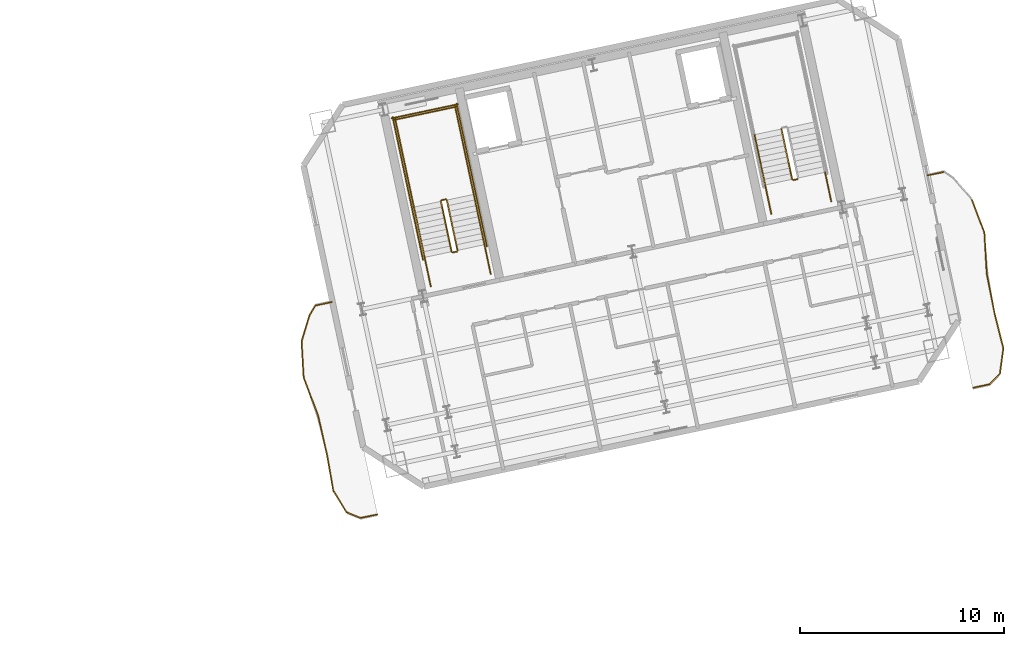
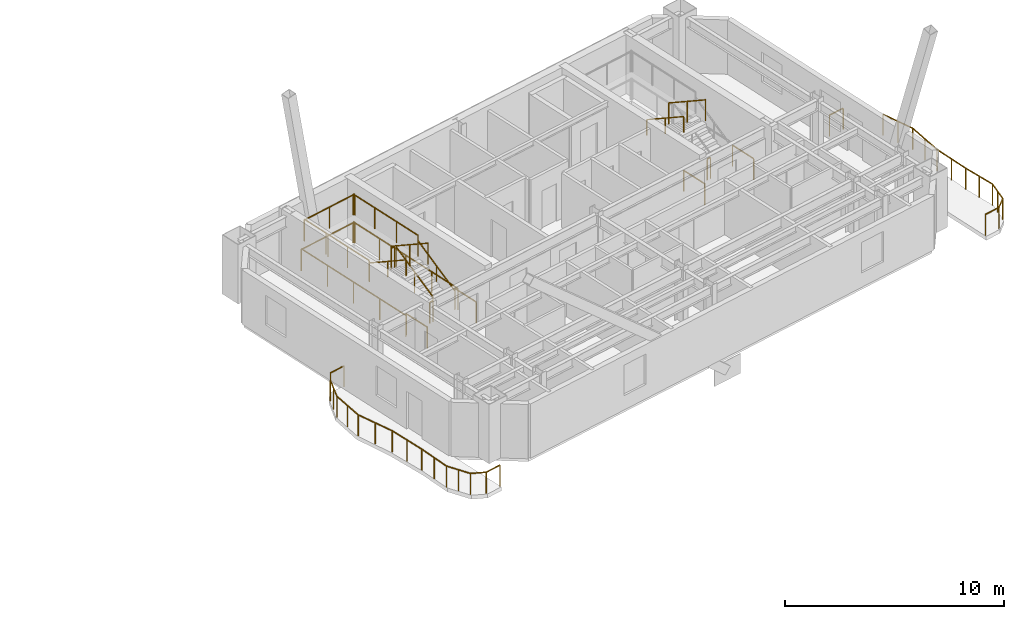
# One storey, part 13 of 14: 37 railings.
"""IFC4 building model written with IfcOpenShell, lengths in metres."""

from ifc_helpers import new_model, si_unit, direction, frame, origin, origin_2d, place, context, subcontext, project, spatial, rectangle, extrude, material, type_object, element, save


model = new_model("IFC4")

# Units and contexts
model_context = context("Model", 3, precision=1e-05, world=origin(), true_north=direction((0.0, 1.0)))
body_context = subcontext(model_context, "Body", "Model", "MODEL_VIEW")
ifc_project = project(units=[si_unit("LENGTHUNIT", "METRE"), si_unit("AREAUNIT", "SQUARE_METRE"), si_unit("VOLUMEUNIT", "CUBIC_METRE"), si_unit("PLANEANGLEUNIT", "RADIAN"), si_unit("MASSUNIT", "GRAM", prefix="KILO")], contexts=[model_context])

# Site, building, storey
site_placement = place(None, origin())
site = spatial("IfcSite", under=ifc_project, at=site_placement, CompositionType="ELEMENT")
building_placement = place(site_placement, origin())
building = spatial("IfcBuilding", under=site, at=building_placement, Name="Haevon Station Towers", CompositionType="ELEMENT")
storey_placement = place(building_placement, frame((0.0, 0.0, 208.800048828125)))
storey = spatial("IfcBuildingStorey", under=building, at=storey_placement, Name="L57", CompositionType="ELEMENT", Elevation=208.800048828125)

# Railings
ifc_material = material(Name="Steel S355", Category="steel")
railing_type_1 = type_object("IfcRailingType", Name="GRD-EXT1200", PredefinedType="GUARDRAIL", material=ifc_material)
railing_1_placement = place(storey_placement, frame((94.288818359375, 37.16552734375, 0.0)))
element("IfcRailing", 1, at=railing_1_placement, inside=storey, type_object=railing_type_1, Name="L57 Perimeter Guardrail 1", PredefinedType="GUARDRAIL", context=body_context, shape_type="SweptSolid", body=[
    extrude(rectangle(XDim=0.048095703125, YDim=0.048095703125, at=origin_2d()), frame((0.0, 0.0, 1.17578125), z_axis=(-0.977678572445, -0.210106185017, 0.0), x_axis=(0.210106185017, -0.977678572445, 0.0)), (0.0, 0.0, 1.0), 0.837890625),
    extrude(rectangle(XDim=0.0419921875, YDim=0.0419921875, at=origin_2d()), origin(), (0.0, 0.0, 1.0), 1.15185546875),
    extrude(rectangle(XDim=0.0419921875, YDim=0.0419921875, at=origin_2d()), frame((-0.819091796875, -0.176025390625, 0.0)), (0.0, 0.0, 1.0), 1.15185546875),
])
railing_2_placement = place(storey_placement, frame((93.4697265625, 36.989501953125, 0.0)))
element("IfcRailing", 2, at=railing_2_placement, inside=storey, type_object=railing_type_1, Name="L57 Perimeter Guardrail 2", PredefinedType="GUARDRAIL", context=body_context, shape_type="SweptSolid", body=[
    extrude(rectangle(XDim=0.048095703125, YDim=0.048095703125, at=origin_2d()), frame((0.0, 0.0, 1.17578125), z_axis=(-0.508242948438, -0.861213739651, 0.0), x_axis=(0.861213739651, -0.508242948438, 0.0)), (0.0, 0.0, 1.0), 0.55810546875),
    extrude(rectangle(XDim=0.0419921875, YDim=0.0419921875, at=origin_2d()), origin(), (0.0, 0.0, 1.0), 1.15185546875),
    extrude(rectangle(XDim=0.0419921875, YDim=0.0419921875, at=origin_2d()), frame((-0.28369140625, -0.480712890625, 0.0)), (0.0, 0.0, 1.0), 1.15185546875),
])
railing_3_placement = place(storey_placement, frame((93.18603515625, 36.5087890625, 0.0)))
element("IfcRailing", 3, at=railing_3_placement, inside=storey, type_object=railing_type_1, Name="L57 Perimeter Guardrail 3", PredefinedType="GUARDRAIL", context=body_context, shape_type="SweptSolid", body=[
    extrude(rectangle(XDim=0.048095703125, YDim=0.048095703125, at=origin_2d()), frame((0.0, 0.0, 1.17578125), z_axis=(-0.290732568505, -0.956804354929, 0.0), x_axis=(0.956804354929, -0.290732568505, 0.0)), (0.0, 0.0, 1.0), 1.3359375),
    extrude(rectangle(XDim=0.0419921875, YDim=0.0419921875, at=origin_2d()), origin(), (0.0, 0.0, 1.0), 1.15185546875),
    extrude(rectangle(XDim=0.0419921875, YDim=0.0419921875, at=origin_2d()), frame((-0.1943359375, -0.63916015625, 0.0)), (0.0, 0.0, 1.0), 1.15185546875),
    extrude(rectangle(XDim=0.0419921875, YDim=0.0419921875, at=origin_2d()), frame((-0.388427734375, -1.2783203125, 0.0)), (0.0, 0.0, 1.0), 1.15185546875),
])
railing_4_placement = place(storey_placement, frame((92.797607421875, 35.23046875, 0.0)))
element("IfcRailing", 4, at=railing_4_placement, inside=storey, type_object=railing_type_1, Name="L57 Perimeter Guardrail 4", PredefinedType="GUARDRAIL", context=body_context, shape_type="SweptSolid", body=[
    extrude(rectangle(XDim=0.048095703125, YDim=0.048095703125, at=origin_2d()), frame((0.0, 0.0, 1.17578125), z_axis=(0.057482650003, -0.998346505452, 0.0), x_axis=(0.998346505452, 0.057482650003, 0.0)), (0.0, 0.0, 1.0), 1.766845703125),
    extrude(rectangle(XDim=0.0419921875, YDim=0.0419921875, at=origin_2d()), origin(), (0.0, 0.0, 1.0), 1.15185546875),
    extrude(rectangle(XDim=0.0419921875, YDim=0.0419921875, at=origin_2d()), frame((0.05078125, -0.8818359375, 0.0)), (0.0, 0.0, 1.0), 1.15185546875),
    extrude(rectangle(XDim=0.0419921875, YDim=0.0419921875, at=origin_2d()), frame((0.1015625, -1.763916015625, 0.0)), (0.0, 0.0, 1.0), 1.15185546875),
])
railing_5_placement = place(storey_placement, frame((92.899169921875, 33.466552734375, 0.0)))
element("IfcRailing", 5, at=railing_5_placement, inside=storey, type_object=railing_type_1, Name="L57 Perimeter Guardrail 5", PredefinedType="GUARDRAIL", context=body_context, shape_type="SweptSolid", body=[
    extrude(rectangle(XDim=0.048095703125, YDim=0.048095703125, at=origin_2d()), frame((0.0, 0.0, 1.17578125), z_axis=(0.354146846432, -0.935189826272, 0.0), x_axis=(0.935189826272, 0.354146846432, 0.0)), (0.0, 0.0, 1.0), 2.016357421875),
    extrude(rectangle(XDim=0.0419921875, YDim=0.0419921875, at=origin_2d()), origin(), (0.0, 0.0, 1.0), 1.15185546875),
    extrude(rectangle(XDim=0.0419921875, YDim=0.0419921875, at=origin_2d()), frame((0.35693359375, -0.94287109375, 0.0)), (0.0, 0.0, 1.0), 1.15185546875),
    extrude(rectangle(XDim=0.0419921875, YDim=0.0419921875, at=origin_2d()), frame((0.714111328125, -1.8857421875, 0.0)), (0.0, 0.0, 1.0), 1.15185546875),
])
railing_6_placement = place(storey_placement, frame((93.61328125, 31.580810546875, 0.0)))
element("IfcRailing", 6, at=railing_6_placement, inside=storey, type_object=railing_type_1, Name="L57 Perimeter Guardrail 6", PredefinedType="GUARDRAIL", context=body_context, shape_type="SweptSolid", body=[
    extrude(rectangle(XDim=0.048095703125, YDim=0.048095703125, at=origin_2d()), frame((0.0, 0.0, 1.17578125), z_axis=(0.220411539334, -0.975406968054, 0.0), x_axis=(0.975406968054, 0.220411539334, 0.0)), (0.0, 0.0, 1.0), 1.9892578125),
    extrude(rectangle(XDim=0.0419921875, YDim=0.0419921875, at=origin_2d()), origin(), (0.0, 0.0, 1.0), 1.15185546875),
    extrude(rectangle(XDim=0.0419921875, YDim=0.0419921875, at=origin_2d()), frame((0.21923828125, -0.97021484375, 0.0)), (0.0, 0.0, 1.0), 1.15185546875),
    extrude(rectangle(XDim=0.0419921875, YDim=0.0419921875, at=origin_2d()), frame((0.4384765625, -1.9404296875, 0.0)), (0.0, 0.0, 1.0), 1.15185546875),
])
railing_7_placement = place(storey_placement, frame((94.0517578125, 29.640380859375, 0.0)))
element("IfcRailing", 7, at=railing_7_placement, inside=storey, type_object=railing_type_1, Name="L57 Perimeter Guardrail 7", PredefinedType="GUARDRAIL", context=body_context, shape_type="SweptSolid", body=[
    extrude(rectangle(XDim=0.048095703125, YDim=0.048095703125, at=origin_2d()), frame((0.0, 0.0, 1.17578125), z_axis=(0.171741201194, -0.98514210133, 0.0), x_axis=(0.98514210133, 0.171741201194, 0.0)), (0.0, 0.0, 1.0), 1.75146484375),
    extrude(rectangle(XDim=0.0419921875, YDim=0.0419921875, at=origin_2d()), origin(), (0.0, 0.0, 1.0), 1.15185546875),
    extrude(rectangle(XDim=0.0419921875, YDim=0.0419921875, at=origin_2d()), frame((0.150390625, -0.86279296875, 0.0)), (0.0, 0.0, 1.0), 1.15185546875),
    extrude(rectangle(XDim=0.0419921875, YDim=0.0419921875, at=origin_2d()), frame((0.30078125, -1.725341796875, 0.0)), (0.0, 0.0, 1.0), 1.15185546875),
])
railing_8_placement = place(storey_placement, frame((94.3525390625, 27.9150390625, 0.0)))
element("IfcRailing", 8, at=railing_8_placement, inside=storey, type_object=railing_type_1, Name="L57 Perimeter Guardrail 8", PredefinedType="GUARDRAIL", context=body_context, shape_type="SweptSolid", body=[
    extrude(rectangle(XDim=0.048095703125, YDim=0.048095703125, at=origin_2d()), frame((0.0, 0.0, 1.17578125), z_axis=(0.525664401049, -0.850692034446, 0.0), x_axis=(0.850692034446, 0.525664401049, 0.0)), (0.0, 0.0, 1.0), 1.242431640625),
    extrude(rectangle(XDim=0.0419921875, YDim=0.0419921875, at=origin_2d()), origin(), (0.0, 0.0, 1.0), 1.15185546875),
    extrude(rectangle(XDim=0.0419921875, YDim=0.0419921875, at=origin_2d()), frame((0.32666015625, -0.5283203125, 0.0)), (0.0, 0.0, 1.0), 1.15185546875),
    extrude(rectangle(XDim=0.0419921875, YDim=0.0419921875, at=origin_2d()), frame((0.653076171875, -1.056884765625, 0.0)), (0.0, 0.0, 1.0), 1.15185546875),
])
railing_9_placement = place(storey_placement, frame((95.005615234375, 26.858154296875, 0.0)))
element("IfcRailing", 9, at=railing_9_placement, inside=storey, type_object=railing_type_1, Name="L57 Perimeter Guardrail 9", PredefinedType="GUARDRAIL", context=body_context, shape_type="SweptSolid", body=[
    extrude(rectangle(XDim=0.048095703125, YDim=0.048095703125, at=origin_2d()), frame((0.0, 0.0, 1.17578125), z_axis=(0.925568245089, -0.378580802053, 0.0), x_axis=(0.378580802053, 0.925568245089, 0.0)), (0.0, 0.0, 1.0), 0.730712890625),
    extrude(rectangle(XDim=0.0419921875, YDim=0.0419921875, at=origin_2d()), origin(), (0.0, 0.0, 1.0), 1.15185546875),
    extrude(rectangle(XDim=0.0419921875, YDim=0.0419921875, at=origin_2d()), frame((0.67626953125, -0.276611328125, 0.0)), (0.0, 0.0, 1.0), 1.15185546875),
])
railing_10_placement = place(storey_placement, frame((95.681884765625, 26.58154296875, 0.0)))
element("IfcRailing", 10, at=railing_10_placement, inside=storey, type_object=railing_type_1, Name="L57 Perimeter Guardrail 10", PredefinedType="GUARDRAIL", context=body_context, shape_type="SweptSolid", body=[
    extrude(rectangle(XDim=0.048095703125, YDim=0.048095703125, at=origin_2d()), frame((0.0, 0.0, 1.17578125), z_axis=(0.978617737227, 0.20568744343, 0.0), x_axis=(-0.20568744343, 0.978617737227, 0.0)), (0.0, 0.0, 1.0), 0.837890625),
    extrude(rectangle(XDim=0.0419921875, YDim=0.0419921875, at=origin_2d()), origin(), (0.0, 0.0, 1.0), 1.15185546875),
    extrude(rectangle(XDim=0.0419921875, YDim=0.0419921875, at=origin_2d()), frame((0.820068359375, 0.17236328125, 0.0)), (0.0, 0.0, 1.0), 1.15185546875),
])
railing_11_placement = place(storey_placement, frame((125.69677734375, 32.959228515625, 0.0)))
element("IfcRailing", 11, at=railing_11_placement, inside=storey, type_object=railing_type_1, Name="L57 Perimeter Guardrail 1", PredefinedType="GUARDRAIL", context=body_context, shape_type="SweptSolid", body=[
    extrude(rectangle(XDim=0.048095703125, YDim=0.048095703125, at=origin_2d()), frame((0.0, 0.0, 1.17578125), z_axis=(0.97761867619, 0.210384704682, 0.0), x_axis=(-0.210384704682, 0.97761867619, 0.0)), (0.0, 0.0, 1.0), 0.837890625),
    extrude(rectangle(XDim=0.0419921875, YDim=0.0419921875, at=origin_2d()), origin(), (0.0, 0.0, 1.0), 1.15185546875),
    extrude(rectangle(XDim=0.0419921875, YDim=0.0419921875, at=origin_2d()), frame((0.819091796875, 0.17626953125, 0.0)), (0.0, 0.0, 1.0), 1.15185546875),
])
railing_12_placement = place(storey_placement, frame((126.515869140625, 33.135498046875, 0.0)))
element("IfcRailing", 12, at=railing_12_placement, inside=storey, type_object=railing_type_1, Name="L57 Perimeter Guardrail 2", PredefinedType="GUARDRAIL", context=body_context, shape_type="SweptSolid", body=[
    extrude(rectangle(XDim=0.048095703125, YDim=0.048095703125, at=origin_2d()), frame((0.0, 0.0, 1.17578125), z_axis=(0.691571499126, 0.722308010198, 0.0), x_axis=(-0.722308010198, 0.691571499126, 0.0)), (0.0, 0.0, 1.0), 0.730712890625),
    extrude(rectangle(XDim=0.0419921875, YDim=0.0419921875, at=origin_2d()), origin(), (0.0, 0.0, 1.0), 1.15185546875),
    extrude(rectangle(XDim=0.0419921875, YDim=0.0419921875, at=origin_2d()), frame((0.50537109375, 0.52783203125, 0.0)), (0.0, 0.0, 1.0), 1.15185546875),
])
railing_13_placement = place(storey_placement, frame((127.021240234375, 33.663330078125, 0.0)))
element("IfcRailing", 13, at=railing_13_placement, inside=storey, type_object=railing_type_1, Name="L57 Perimeter Guardrail 3", PredefinedType="GUARDRAIL", context=body_context, shape_type="SweptSolid", body=[
    extrude(rectangle(XDim=0.048095703125, YDim=0.048095703125, at=origin_2d()), frame((0.0, 0.0, 1.17578125), z_axis=(0.134209962929, 0.99095291808, 0.0), x_axis=(-0.99095291808, 0.134209962929, 0.0)), (0.0, 0.0, 1.0), 1.242431640625),
    extrude(rectangle(XDim=0.0419921875, YDim=0.0419921875, at=origin_2d()), origin(), (0.0, 0.0, 1.0), 1.15185546875),
    extrude(rectangle(XDim=0.0419921875, YDim=0.0419921875, at=origin_2d()), frame((0.08349609375, 0.61572265625, 0.0)), (0.0, 0.0, 1.0), 1.15185546875),
    extrude(rectangle(XDim=0.0419921875, YDim=0.0419921875, at=origin_2d()), frame((0.166748046875, 1.231201171875, 0.0)), (0.0, 0.0, 1.0), 1.15185546875),
])
railing_14_placement = place(storey_placement, frame((127.18798828125, 34.89453125, 0.0)))
element("IfcRailing", 14, at=railing_14_placement, inside=storey, type_object=railing_type_1, Name="L57 Perimeter Guardrail 4", PredefinedType="GUARDRAIL", context=body_context, shape_type="SweptSolid", body=[
    extrude(rectangle(XDim=0.048095703125, YDim=0.048095703125, at=origin_2d()), frame((0.0, 0.0, 1.17578125), z_axis=(-0.243683513222, 0.969854806342, 0.0), x_axis=(-0.969854806342, -0.243683513222, 0.0)), (0.0, 0.0, 1.0), 1.751220703125),
    extrude(rectangle(XDim=0.0419921875, YDim=0.0419921875, at=origin_2d()), origin(), (0.0, 0.0, 1.0), 1.15185546875),
    extrude(rectangle(XDim=0.0419921875, YDim=0.0419921875, at=origin_2d()), frame((-0.21337890625, 0.84912109375, 0.0)), (0.0, 0.0, 1.0), 1.15185546875),
    extrude(rectangle(XDim=0.0419921875, YDim=0.0419921875, at=origin_2d()), frame((-0.4267578125, 1.698486328125, 0.0)), (0.0, 0.0, 1.0), 1.15185546875),
])
railing_15_placement = place(storey_placement, frame((126.76123046875, 36.593017578125, 0.0)))
element("IfcRailing", 15, at=railing_15_placement, inside=storey, type_object=railing_type_1, Name="L57 Perimeter Guardrail 5", PredefinedType="GUARDRAIL", context=body_context, shape_type="SweptSolid", body=[
    extrude(rectangle(XDim=0.048095703125, YDim=0.048095703125, at=origin_2d()), frame((0.0, 0.0, 1.17578125), z_axis=(-0.195384427419, 0.980726733358, 0.0), x_axis=(-0.980726733358, -0.195384427419, 0.0)), (0.0, 0.0, 1.0), 1.9892578125),
    extrude(rectangle(XDim=0.0419921875, YDim=0.0419921875, at=origin_2d()), origin(), (0.0, 0.0, 1.0), 1.15185546875),
    extrude(rectangle(XDim=0.0419921875, YDim=0.0419921875, at=origin_2d()), frame((-0.1943359375, 0.9755859375, 0.0)), (0.0, 0.0, 1.0), 1.15185546875),
    extrude(rectangle(XDim=0.0419921875, YDim=0.0419921875, at=origin_2d()), frame((-0.388671875, 1.950927734375, 0.0)), (0.0, 0.0, 1.0), 1.15185546875),
])
railing_16_placement = place(storey_placement, frame((126.37255859375, 38.5439453125, 0.0)))
element("IfcRailing", 16, at=railing_16_placement, inside=storey, type_object=railing_type_1, Name="L57 Perimeter Guardrail 6", PredefinedType="GUARDRAIL", context=body_context, shape_type="SweptSolid", body=[
    extrude(rectangle(XDim=0.048095703125, YDim=0.048095703125, at=origin_2d()), frame((0.0, 0.0, 1.17578125), z_axis=(-0.056898095772, 0.998379991134, 0.0), x_axis=(-0.998379991134, -0.056898095772, 0.0)), (0.0, 0.0, 1.0), 2.0166015625),
    extrude(rectangle(XDim=0.0419921875, YDim=0.0419921875, at=origin_2d()), origin(), (0.0, 0.0, 1.0), 1.15185546875),
    extrude(rectangle(XDim=0.0419921875, YDim=0.0419921875, at=origin_2d()), frame((-0.057373046875, 1.0068359375, 0.0)), (0.0, 0.0, 1.0), 1.15185546875),
    extrude(rectangle(XDim=0.0419921875, YDim=0.0419921875, at=origin_2d()), frame((-0.11474609375, 2.013427734375, 0.0)), (0.0, 0.0, 1.0), 1.15185546875),
])
railing_17_placement = place(storey_placement, frame((126.2578125, 40.557373046875, 0.0)))
element("IfcRailing", 17, at=railing_17_placement, inside=storey, type_object=railing_type_1, Name="L57 Perimeter Guardrail 7", PredefinedType="GUARDRAIL", context=body_context, shape_type="SweptSolid", body=[
    extrude(rectangle(XDim=0.048095703125, YDim=0.048095703125, at=origin_2d()), frame((0.0, 0.0, 1.17578125), z_axis=(-0.353666631925, 0.935371537659, 0.0), x_axis=(-0.935371537659, -0.353666631925, 0.0)), (0.0, 0.0, 1.0), 1.7666015625),
    extrude(rectangle(XDim=0.0419921875, YDim=0.0419921875, at=origin_2d()), origin(), (0.0, 0.0, 1.0), 1.15185546875),
    extrude(rectangle(XDim=0.0419921875, YDim=0.0419921875, at=origin_2d()), frame((-0.3125, 0.826171875, 0.0)), (0.0, 0.0, 1.0), 1.15185546875),
    extrude(rectangle(XDim=0.0419921875, YDim=0.0419921875, at=origin_2d()), frame((-0.624755859375, 1.65234375, 0.0)), (0.0, 0.0, 1.0), 1.15185546875),
])
railing_18_placement = place(storey_placement, frame((124.3037109375, 43.54345703125, 0.0)))
element("IfcRailing", 18, at=railing_18_placement, inside=storey, type_object=railing_type_1, Name="L57 Perimeter Guardrail 10", PredefinedType="GUARDRAIL", context=body_context, shape_type="SweptSolid", body=[
    extrude(rectangle(XDim=0.048095703125, YDim=0.048095703125, at=origin_2d()), frame((0.0, 0.0, 1.17578125), z_axis=(-0.978617737227, -0.20568744343, 0.0), x_axis=(0.20568744343, -0.978617737227, 0.0)), (0.0, 0.0, 1.0), 0.837890625),
    extrude(rectangle(XDim=0.0419921875, YDim=0.0419921875, at=origin_2d()), origin(), (0.0, 0.0, 1.0), 1.15185546875),
    extrude(rectangle(XDim=0.0419921875, YDim=0.0419921875, at=origin_2d()), frame((-0.820068359375, -0.17236328125, 0.0)), (0.0, 0.0, 1.0), 1.15185546875),
])
railing_type_2 = type_object("IfcRailingType", Name="GRD-STR1200", PredefinedType="GUARDRAIL", material=ifc_material)
railing_19_placement = place(storey_placement, frame((100.44140625, 39.69287109375, 0.1650390625)))
element("IfcRailing", 19, at=railing_19_placement, inside=storey, type_object=railing_type_2, Name="L57 ST3 Stair Guard 1", PredefinedType="GUARDRAIL", context=body_context, shape_type="SweptSolid", body=[
    extrude(rectangle(XDim=0.048095703125, YDim=0.048095703125, at=origin_2d()), frame((0.0, 0.0, 1.17578125), z_axis=(-0.179128856099, 0.842723639875, 0.507670877349), x_axis=(-0.978147030254, -0.207914374695, 0.0)), (0.0, 0.0, 1.0), 2.9248046875),
    extrude(rectangle(XDim=0.0419921875, YDim=0.0419921875, at=origin_2d()), origin(), (0.0, 0.0, 1.0), 1.15185546875),
    extrude(rectangle(XDim=0.0419921875, YDim=0.0419921875, at=origin_2d()), frame((-0.261962890625, 1.232421875, 0.742431640625)), (0.0, 0.0, 1.0), 1.15185546875),
    extrude(rectangle(XDim=0.0419921875, YDim=0.0419921875, at=origin_2d()), frame((-0.52392578125, 2.46484375, 1.48486328125)), (0.0, 0.0, 1.0), 1.15185546875),
])
railing_20_placement = place(storey_placement, frame((99.858154296875, 42.1962890625, 1.64990234375)))
element("IfcRailing", 20, at=railing_20_placement, inside=storey, type_object=railing_type_2, Name="L57 ST3 Stair Guard 2", PredefinedType="GUARDRAIL", context=body_context, shape_type="SweptSolid", body=[
    extrude(rectangle(XDim=0.048095703125, YDim=0.048095703125, at=origin_2d()), frame((0.0, 0.0, 1.17578125), z_axis=(-0.977962931203, -0.208778603291, 0.0), x_axis=(0.208778603291, -0.977962931203, 0.0)), (0.0, 0.0, 1.0), 0.199951171875),
    extrude(rectangle(XDim=0.0419921875, YDim=0.0419921875, at=origin_2d()), origin(), (0.0, 0.0, 1.0), 1.15185546875),
    extrude(rectangle(XDim=0.0419921875, YDim=0.0419921875, at=origin_2d()), frame((-0.195556640625, -0.041748046875, 0.0)), (0.0, 0.0, 1.0), 1.15185546875),
])
railing_21_placement = place(storey_placement, frame((101.238037109375, 42.4384765625, 1.64990234375)))
element("IfcRailing", 21, at=railing_21_placement, inside=storey, type_object=railing_type_2, Name="L57 ST3 Stair Guard 3", PredefinedType="GUARDRAIL", context=body_context, shape_type="SweptSolid", body=[
    extrude(rectangle(XDim=0.048095703125, YDim=0.048095703125, at=origin_2d()), frame((0.0, 0.0, 1.17578125), z_axis=(-0.20794048909, 0.978141479029, 0.0), x_axis=(-0.978141479029, -0.20794048909, 0.0)), (0.0, 0.0, 1.0), 4.429931640625),
    extrude(rectangle(XDim=0.0419921875, YDim=0.0419921875, at=origin_2d()), origin(), (0.0, 0.0, 1.0), 1.15185546875),
    extrude(rectangle(XDim=0.0419921875, YDim=0.0419921875, at=origin_2d()), frame((-0.30712890625, 1.4443359375, 0.0)), (0.0, 0.0, 1.0), 1.15185546875),
    extrude(rectangle(XDim=0.0419921875, YDim=0.0419921875, at=origin_2d()), frame((-0.614013671875, 2.888671875, 0.0)), (0.0, 0.0, 1.0), 1.15185546875),
    extrude(rectangle(XDim=0.0419921875, YDim=0.0419921875, at=origin_2d()), frame((-0.921142578125, 4.3330078125, 0.0)), (0.0, 0.0, 1.0), 1.15185546875),
])
railing_22_placement = place(storey_placement, frame((98.303466796875, 41.814697265625, 1.64990234375)))
element("IfcRailing", 22, at=railing_22_placement, inside=storey, type_object=railing_type_2, Name="L57 ST3 Stair Guard 4", PredefinedType="GUARDRAIL", context=body_context, shape_type="SweptSolid", body=[
    extrude(rectangle(XDim=0.048095703125, YDim=0.048095703125, at=origin_2d()), frame((0.0, 0.0, 1.17578125), z_axis=(-0.207876551949, 0.978155069071, 0.0), x_axis=(-0.978155069071, -0.207876551949, 0.0)), (0.0, 0.0, 1.0), 4.429931640625),
    extrude(rectangle(XDim=0.0419921875, YDim=0.0419921875, at=origin_2d()), origin(), (0.0, 0.0, 1.0), 1.15185546875),
    extrude(rectangle(XDim=0.0419921875, YDim=0.0419921875, at=origin_2d()), frame((-0.306884765625, 1.4443359375, 0.0)), (0.0, 0.0, 1.0), 1.15185546875),
    extrude(rectangle(XDim=0.0419921875, YDim=0.0419921875, at=origin_2d()), frame((-0.614013671875, 2.888916015625, 0.0)), (0.0, 0.0, 1.0), 1.15185546875),
    extrude(rectangle(XDim=0.0419921875, YDim=0.0419921875, at=origin_2d()), frame((-0.9208984375, 4.333251953125, 0.0)), (0.0, 0.0, 1.0), 1.15185546875),
])
railing_23_placement = place(storey_placement, frame((100.376220703125, 46.733154296875, 1.64990234375)))
element("IfcRailing", 23, at=railing_23_placement, inside=storey, type_object=railing_type_2, Name="L57 ST3 Stair Guard 5", PredefinedType="GUARDRAIL", context=body_context, shape_type="SweptSolid", body=[
    extrude(rectangle(XDim=0.048095703125, YDim=0.048095703125, at=origin_2d()), frame((0.0, 0.0, 1.17578125), z_axis=(-0.978146839882, -0.207915270313, 0.0), x_axis=(0.207915270313, -0.978146839882, 0.0)), (0.0, 0.0, 1.0), 3.099853515625),
    extrude(rectangle(XDim=0.0419921875, YDim=0.0419921875, at=origin_2d()), origin(), (0.0, 0.0, 1.0), 1.15185546875),
    extrude(rectangle(XDim=0.0419921875, YDim=0.0419921875, at=origin_2d()), frame((-1.51611328125, -0.322265625, 0.0)), (0.0, 0.0, 1.0), 1.15185546875),
    extrude(rectangle(XDim=0.0419921875, YDim=0.0419921875, at=origin_2d()), frame((-3.0322265625, -0.64453125, 0.0)), (0.0, 0.0, 1.0), 1.15185546875),
])
railing_24_placement = place(storey_placement, frame((99.6240234375, 42.09521484375, 1.81494140625)))
element("IfcRailing", 24, at=railing_24_placement, inside=storey, type_object=railing_type_2, Name="L57 ST3 Stair Guard 6", PredefinedType="GUARDRAIL", context=body_context, shape_type="SweptSolid", body=[
    extrude(rectangle(XDim=0.048095703125, YDim=0.048095703125, at=origin_2d()), frame((0.0, 0.0, 1.17578125), z_axis=(0.179121265225, -0.842687928106, 0.507732831485), x_axis=(0.978147030254, 0.207914374695, 0.0)), (0.0, 0.0, 1.0), 2.925048828125),
    extrude(rectangle(XDim=0.0419921875, YDim=0.0419921875, at=origin_2d()), origin(), (0.0, 0.0, 1.0), 1.15185546875),
    extrude(rectangle(XDim=0.0419921875, YDim=0.0419921875, at=origin_2d()), frame((0.261962890625, -1.232421875, 0.74267578125)), (0.0, 0.0, 1.0), 1.15185546875),
    extrude(rectangle(XDim=0.0419921875, YDim=0.0419921875, at=origin_2d()), frame((0.52392578125, -2.46484375, 1.485107421875)), (0.0, 0.0, 1.0), 1.15185546875),
])
railing_25_placement = place(storey_placement, frame((100.40283203125, 39.633544921875, 0.0)))
element("IfcRailing", 25, at=railing_25_placement, inside=storey, type_object=railing_type_2, Name="L57 ST3 Stair Guard 7", PredefinedType="GUARDRAIL", context=body_context, shape_type="SweptSolid", body=[
    extrude(rectangle(XDim=0.048095703125, YDim=0.048095703125, at=origin_2d()), frame((0.0, 0.0, 1.17578125), z_axis=(-0.977962931203, -0.208778603291, 0.0), x_axis=(0.208778603291, -0.977962931203, 0.0)), (0.0, 0.0, 1.0), 0.199951171875),
    extrude(rectangle(XDim=0.0419921875, YDim=0.0419921875, at=origin_2d()), origin(), (0.0, 0.0, 1.0), 1.15185546875),
    extrude(rectangle(XDim=0.0419921875, YDim=0.0419921875, at=origin_2d()), frame((-0.195556640625, -0.041748046875, 0.0)), (0.0, 0.0, 1.0), 1.15185546875),
])
for number, where, name in (
    (26, (102.0634765625, 38.55517578125, 0.0), "L57 ST3 Stair Guard 8"),
    (27, (99.12890625, 37.931396484375, 0.0), "L57 ST3 Stair Guard 9"),
):
    element("IfcRailing", number, at=place(storey_placement, frame(where)), inside=storey, type_object=railing_type_2, Name=name, PredefinedType="GUARDRAIL", context=body_context, shape_type="SweptSolid", body=[
        extrude(rectangle(XDim=0.048095703125, YDim=0.048095703125, at=origin_2d()), frame((0.0, 0.0, 1.17578125), z_axis=(-0.207953405961, 0.978138732977, 0.0), x_axis=(-0.978138732977, -0.207953405961, 0.0)), (0.0, 0.0, 1.0), 1.449951171875),
        extrude(rectangle(XDim=0.0419921875, YDim=0.0419921875, at=origin_2d()), origin(), (0.0, 0.0, 1.0), 1.15185546875),
        extrude(rectangle(XDim=0.0419921875, YDim=0.0419921875, at=origin_2d()), frame((-0.301513671875, 1.418212890625, 0.0)), (0.0, 0.0, 1.0), 1.15185546875),
    ])
railing_26_placement = place(storey_placement, frame((101.88037109375, 39.896484375, 0.0)))
element("IfcRailing", 28, at=railing_26_placement, inside=storey, type_object=railing_type_2, Name="L57 ST3 Stair Guard 10", PredefinedType="GUARDRAIL", context=body_context, shape_type="SweptSolid", body=[
    extrude(rectangle(XDim=0.048095703125, YDim=0.048095703125, at=origin_2d()), frame((0.0, 0.0, 1.17578125), z_axis=(-0.207882442208, 0.978153817261, 0.0), x_axis=(-0.978153817261, -0.207882442208, 0.0)), (0.0, 0.0, 1.0), 7.14990234375),
    extrude(rectangle(XDim=0.0419921875, YDim=0.0419921875, at=origin_2d()), origin(), (0.0, 0.0, 1.0), 1.15185546875),
    extrude(rectangle(XDim=0.0419921875, YDim=0.0419921875, at=origin_2d()), frame((-0.37158203125, 1.74853515625, 0.0)), (0.0, 0.0, 1.0), 1.15185546875),
    extrude(rectangle(XDim=0.0419921875, YDim=0.0419921875, at=origin_2d()), frame((-0.7431640625, 3.496826171875, 0.0)), (0.0, 0.0, 1.0), 1.15185546875),
    extrude(rectangle(XDim=0.0419921875, YDim=0.0419921875, at=origin_2d()), frame((-1.11474609375, 5.2451171875, 0.0)), (0.0, 0.0, 1.0), 1.15185546875),
    extrude(rectangle(XDim=0.0419921875, YDim=0.0419921875, at=origin_2d()), frame((-1.486328125, 6.99365234375, 0.0)), (0.0, 0.0, 1.0), 1.15185546875),
])
railing_27_placement = place(storey_placement, frame((98.75048828125, 39.231201171875, 0.0)))
element("IfcRailing", 29, at=railing_27_placement, inside=storey, type_object=railing_type_2, Name="L57 ST3 Stair Guard 11", PredefinedType="GUARDRAIL", context=body_context, shape_type="SweptSolid", body=[
    extrude(rectangle(XDim=0.048095703125, YDim=0.048095703125, at=origin_2d()), frame((0.0, 0.0, 1.17578125), z_axis=(-0.207915112487, 0.978146873429, 0.0), x_axis=(-0.978146873429, -0.207915112487, 0.0)), (0.0, 0.0, 1.0), 7.14990234375),
    extrude(rectangle(XDim=0.0419921875, YDim=0.0419921875, at=origin_2d()), origin(), (0.0, 0.0, 1.0), 1.15185546875),
    extrude(rectangle(XDim=0.0419921875, YDim=0.0419921875, at=origin_2d()), frame((-0.37158203125, 1.74853515625, 0.0)), (0.0, 0.0, 1.0), 1.15185546875),
    extrude(rectangle(XDim=0.0419921875, YDim=0.0419921875, at=origin_2d()), frame((-0.7431640625, 3.496826171875, 0.0)), (0.0, 0.0, 1.0), 1.15185546875),
    extrude(rectangle(XDim=0.0419921875, YDim=0.0419921875, at=origin_2d()), frame((-1.114990234375, 5.2451171875, 0.0)), (0.0, 0.0, 1.0), 1.15185546875),
    extrude(rectangle(XDim=0.0419921875, YDim=0.0419921875, at=origin_2d()), frame((-1.486572265625, 6.99365234375, 0.0)), (0.0, 0.0, 1.0), 1.15185546875),
])
railing_28_placement = place(storey_placement, frame((100.453125, 46.8515625, 0.0)))
element("IfcRailing", 30, at=railing_28_placement, inside=storey, type_object=railing_type_2, Name="L57 ST3 Stair Guard 12", PredefinedType="GUARDRAIL", context=body_context, shape_type="SweptSolid", body=[
    extrude(rectangle(XDim=0.048095703125, YDim=0.048095703125, at=origin_2d()), frame((0.0, 0.0, 1.17578125), z_axis=(-0.978150764849, -0.207896804268, 0.0), x_axis=(0.207896804268, -0.978150764849, 0.0)), (0.0, 0.0, 1.0), 3.2998046875),
    extrude(rectangle(XDim=0.0419921875, YDim=0.0419921875, at=origin_2d()), origin(), (0.0, 0.0, 1.0), 1.15185546875),
    extrude(rectangle(XDim=0.0419921875, YDim=0.0419921875, at=origin_2d()), frame((-1.61376953125, -0.343017578125, 0.0)), (0.0, 0.0, 1.0), 1.15185546875),
    extrude(rectangle(XDim=0.0419921875, YDim=0.0419921875, at=origin_2d()), frame((-3.227783203125, -0.68603515625, 0.0)), (0.0, 0.0, 1.0), 1.15185546875),
])
railing_29_placement = place(storey_placement, frame((116.311279296875, 45.642333984375, 1.81494140625)))
element("IfcRailing", 31, at=railing_29_placement, inside=storey, type_object=railing_type_2, Name="L57 ST4 Stair Guard 6", PredefinedType="GUARDRAIL", context=body_context, shape_type="SweptSolid", body=[
    extrude(rectangle(XDim=0.048095703125, YDim=0.048095703125, at=origin_2d()), frame((0.0, 0.0, 1.17578125), z_axis=(0.179108667068, -0.842712120868, 0.50769712105), x_axis=(0.978151217824, 0.207894673017, 0.0)), (0.0, 0.0, 1.0), 2.92529296875),
    extrude(rectangle(XDim=0.0419921875, YDim=0.0419921875, at=origin_2d()), origin(), (0.0, 0.0, 1.0), 1.15185546875),
    extrude(rectangle(XDim=0.0419921875, YDim=0.0419921875, at=origin_2d()), frame((0.261962890625, -1.232421875, 0.74267578125)), (0.0, 0.0, 1.0), 1.15185546875),
    extrude(rectangle(XDim=0.0419921875, YDim=0.0419921875, at=origin_2d()), frame((0.52392578125, -2.465087890625, 1.485107421875)), (0.0, 0.0, 1.0), 1.15185546875),
])
railing_30_placement = place(storey_placement, frame((117.090087890625, 43.180419921875, 0.0)))
element("IfcRailing", 32, at=railing_30_placement, inside=storey, type_object=railing_type_2, Name="L57 ST4 Stair Guard 7", PredefinedType="GUARDRAIL", context=body_context, shape_type="SweptSolid", body=[
    extrude(rectangle(XDim=0.048095703125, YDim=0.048095703125, at=origin_2d()), frame((0.0, 0.0, 1.17578125), z_axis=(-0.978211583308, -0.207610448392, 0.0), x_axis=(0.207610448392, -0.978211583308, 0.0)), (0.0, 0.0, 1.0), 0.199951171875),
    extrude(rectangle(XDim=0.0419921875, YDim=0.0419921875, at=origin_2d()), origin(), (0.0, 0.0, 1.0), 1.15185546875),
    extrude(rectangle(XDim=0.0419921875, YDim=0.0419921875, at=origin_2d()), frame((-0.195556640625, -0.04150390625, 0.0)), (0.0, 0.0, 1.0), 1.15185546875),
])
for number, where, name in (
    (33, (118.75048828125, 42.10205078125, 0.0), "L57 ST4 Stair Guard 8"),
    (34, (115.816162109375, 41.478271484375, 0.0), "L57 ST4 Stair Guard 9"),
):
    element("IfcRailing", number, at=place(storey_placement, frame(where)), inside=storey, type_object=railing_type_2, Name=name, PredefinedType="GUARDRAIL", context=body_context, shape_type="SweptSolid", body=[
        extrude(rectangle(XDim=0.048095703125, YDim=0.048095703125, at=origin_2d()), frame((0.0, 0.0, 1.17578125), z_axis=(-0.207919161079, 0.978146012851, 0.0), x_axis=(-0.978146012851, -0.207919161079, 0.0)), (0.0, 0.0, 1.0), 1.4501953125),
        extrude(rectangle(XDim=0.0419921875, YDim=0.0419921875, at=origin_2d()), origin(), (0.0, 0.0, 1.0), 1.15185546875),
        extrude(rectangle(XDim=0.0419921875, YDim=0.0419921875, at=origin_2d()), frame((-0.301513671875, 1.41845703125, 0.0)), (0.0, 0.0, 1.0), 1.15185546875),
    ])
railing_type_3 = type_object("IfcRailingType", Name="HND-STR900", PredefinedType="HANDRAIL", material=ifc_material)
railing_31_placement = place(storey_placement, frame((101.761962890625, 39.973388671875, 0.1650390625)))
element("IfcRailing", 35, at=railing_31_placement, inside=storey, type_object=railing_type_3, Name="L57 ST3 Stair Handrail 1", PredefinedType="HANDRAIL", context=body_context, shape_type="SweptSolid", body=[
    extrude(rectangle(XDim=0.048095703125, YDim=0.048095703125, at=origin_2d()), frame((0.0, 0.0, 0.8759765625), z_axis=(-0.179116256339, 0.842747828638, 0.507635168246), x_axis=(-0.978151217824, -0.207894673017, 0.0)), (0.0, 0.0, 1.0), 2.925048828125),
    extrude(rectangle(XDim=0.0419921875, YDim=0.0419921875, at=origin_2d()), origin(), (0.0, 0.0, 1.0), 0.851806640625),
    extrude(rectangle(XDim=0.0419921875, YDim=0.0419921875, at=origin_2d()), frame((-0.261962890625, 1.232421875, 0.742431640625)), (0.0, 0.0, 1.0), 0.851806640625),
    extrude(rectangle(XDim=0.0419921875, YDim=0.0419921875, at=origin_2d()), frame((-0.52392578125, 2.465087890625, 1.48486328125)), (0.0, 0.0, 1.0), 0.851806640625),
])
railing_32_placement = place(storey_placement, frame((98.303466796875, 41.814697265625, 1.81494140625)))
element("IfcRailing", 36, at=railing_32_placement, inside=storey, type_object=railing_type_3, Name="L57 ST3 Stair Handrail 2", PredefinedType="HANDRAIL", context=body_context, shape_type="SweptSolid", body=[
    extrude(rectangle(XDim=0.048095703125, YDim=0.048095703125, at=origin_2d()), frame((0.0, 0.0, 0.8759765625), z_axis=(0.179108667068, -0.842712120868, 0.50769712105), x_axis=(0.978151217824, 0.207894673017, 0.0)), (0.0, 0.0, 1.0), 2.92529296875),
    extrude(rectangle(XDim=0.0419921875, YDim=0.0419921875, at=origin_2d()), origin(), (0.0, 0.0, 1.0), 0.851806640625),
    extrude(rectangle(XDim=0.0419921875, YDim=0.0419921875, at=origin_2d()), frame((0.261962890625, -1.232421875, 0.74267578125)), (0.0, 0.0, 1.0), 0.851806640625),
    extrude(rectangle(XDim=0.0419921875, YDim=0.0419921875, at=origin_2d()), frame((0.52392578125, -2.465087890625, 1.485107421875)), (0.0, 0.0, 1.0), 0.851806640625),
])
railing_33_placement = place(storey_placement, frame((114.99072265625, 45.361572265625, 1.81494140625)))
element("IfcRailing", 37, at=railing_33_placement, inside=storey, type_object=railing_type_3, Name="L57 ST4 Stair Handrail 2", PredefinedType="HANDRAIL", context=body_context, shape_type="SweptSolid", body=[
    extrude(rectangle(XDim=0.048095703125, YDim=0.048095703125, at=origin_2d()), frame((0.0, 0.0, 0.8759765625), z_axis=(0.179121265225, -0.842687928106, 0.507732831485), x_axis=(0.978147030254, 0.207914374695, 0.0)), (0.0, 0.0, 1.0), 2.925048828125),
    extrude(rectangle(XDim=0.0419921875, YDim=0.0419921875, at=origin_2d()), origin(), (0.0, 0.0, 1.0), 0.851806640625),
    extrude(rectangle(XDim=0.0419921875, YDim=0.0419921875, at=origin_2d()), frame((0.261962890625, -1.232421875, 0.74267578125)), (0.0, 0.0, 1.0), 0.851806640625),
    extrude(rectangle(XDim=0.0419921875, YDim=0.0419921875, at=origin_2d()), frame((0.52392578125, -2.46484375, 1.485107421875)), (0.0, 0.0, 1.0), 0.851806640625),
])

save(model, "model.ifc")
